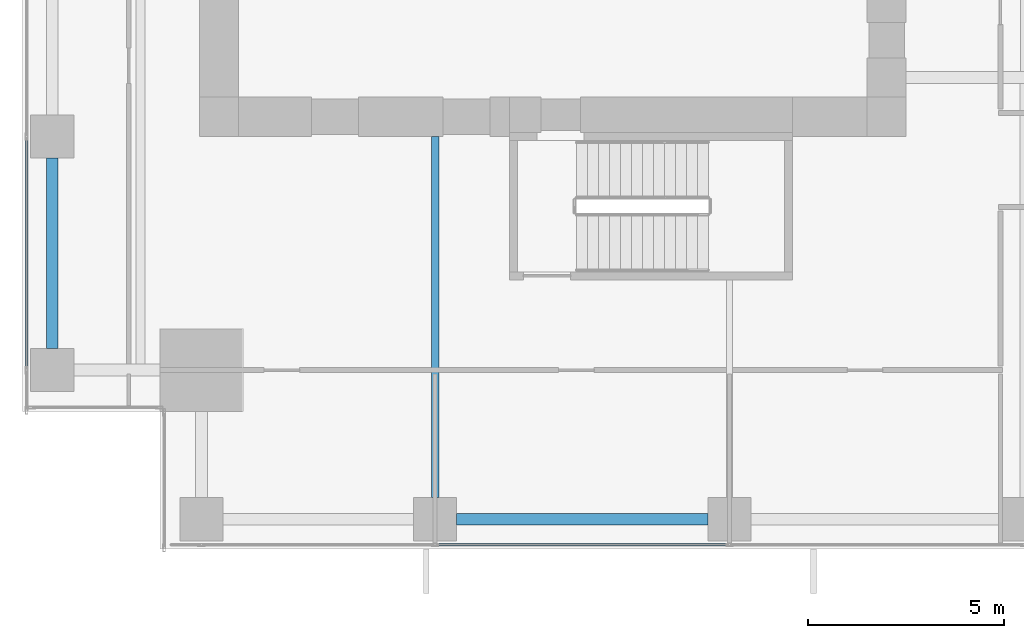
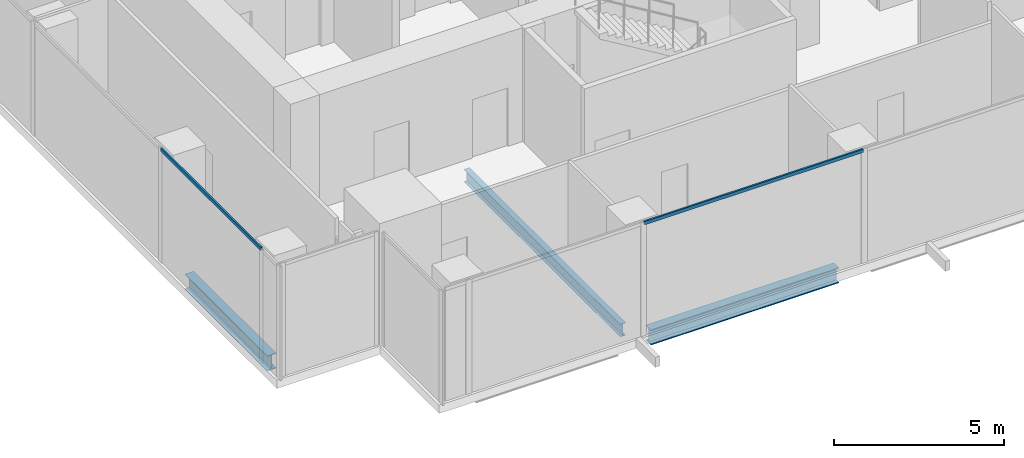
# One storey, part 3 of 34: 3 beams, 2 members, 2 elements without a shape of their own.
"""IFC4 building model written with IfcOpenShell, lengths in metres."""

import ifcopenshell
import ifcopenshell.guid

model = None  # the IFC model being written
_history = None  # IfcOwnerHistory: only IFC2X3 demands one
_inside = {}  # id of a spatial element -> (the spatial element, [elements in it])
_under = {}  # id of a project, library or spatial element -> (it, [spatial elements below it])
_declared = {}  # id of a project -> (the project, [libraries it declares])
_typed = {}  # id of a type object -> (the type object, [elements of that type])
_made_of = {}  # id of a material, layer set ... -> (it, [elements and type objects made of it])


def new_model(schema):
    """Start an empty IFC model of exactly this schema.

    Asked for "IFC4X3", IfcOpenShell would pick the latest addendum, in which some entities
    have other attributes; the version numbers below select the first issue.
    IFC2X3 requires an IfcOwnerHistory on every rooted entity: one is made here for all.
    """
    global model, _history
    if schema == "IFC4X3":
        model = ifcopenshell.file(schema_version=(4, 3, 0, 0))
    else:
        model = ifcopenshell.file(schema=schema)
    _inside.clear()
    _under.clear()
    _declared.clear()
    _typed.clear()
    _made_of.clear()
    _history = None
    if model.schema == "IFC2X3":
        org = make("IfcOrganization", Name="unknown")
        user = make(
            "IfcPersonAndOrganization",
            ThePerson=make("IfcPerson", FamilyName="unknown"),
            TheOrganization=org,
        )
        app = make(
            "IfcApplication",
            ApplicationDeveloper=org,
            Version="unknown",
            ApplicationFullName="unknown",
            ApplicationIdentifier="unknown",
        )
        _history = make(
            "IfcOwnerHistory",
            OwningUser=user,
            OwningApplication=app,
            ChangeAction="ADDED",
            CreationDate=0,
        )
    return model


def make(cls, **values):
    """One entity of the class cls with the attributes given. An attribute that is None is left unset."""
    return model.create_entity(
        cls, **{name: value for name, value in values.items() if value is not None}
    )


def rooted(cls, **values):
    """An entity with a GlobalId (a new one), such as an element, a storey or a relation."""
    return make(cls, GlobalId=ifcopenshell.guid.new(), OwnerHistory=_history, **values)


def si_unit(unit_type, name, prefix=None):
    """IfcSIUnit, for example si_unit("LENGTHUNIT", "METRE", prefix="MILLI")."""
    return make("IfcSIUnit", UnitType=unit_type, Prefix=prefix, Name=name)


def assignment(units):
    """IfcUnitAssignment: the units of a project."""
    return None if units is None else make("IfcUnitAssignment", Units=units)


def point(xyz):
    """IfcCartesianPoint."""
    return None if xyz is None else make("IfcCartesianPoint", Coordinates=xyz)


def direction(xyz):
    """IfcDirection."""
    return None if xyz is None else make("IfcDirection", DirectionRatios=xyz)


def frame(location, z_axis=None, x_axis=None):
    """IfcAxis2Placement3D, a coordinate frame: its origin and axes. An axis left out is left unset."""
    return make(
        "IfcAxis2Placement3D",
        Location=point(location),
        Axis=direction(z_axis),
        RefDirection=direction(x_axis),
    )


def frame_2d(location, x_axis=None):
    """IfcAxis2Placement2D, a coordinate frame in the plane: its origin and x axis."""
    return make(
        "IfcAxis2Placement2D", Location=point(location), RefDirection=direction(x_axis)
    )


def origin():
    """The frame at (0, 0, 0) with its axes left unset."""
    return frame((0.0, 0.0, 0.0))


def origin_2d():
    """The frame at (0, 0) in the plane with its x axis left unset."""
    return frame_2d((0.0, 0.0))


def place(relative_to, where):
    """IfcLocalPlacement: puts the frame where relative to a parent placement (None: the world)."""
    return make(
        "IfcLocalPlacement", PlacementRelTo=relative_to, RelativePlacement=where
    )


def context(
    kind, dimensions, precision=None, world=None, true_north=None, identifier=None
):
    """IfcGeometricRepresentationContext, for example the 3D "Model" context."""
    return make(
        "IfcGeometricRepresentationContext",
        ContextIdentifier=identifier,
        ContextType=kind,
        CoordinateSpaceDimension=dimensions,
        Precision=precision,
        WorldCoordinateSystem=world,
        TrueNorth=true_north,
    )


def subcontext(parent, identifier, kind, view, scale=None):
    """IfcGeometricRepresentationSubContext, for example "Body" below "Model"."""
    return make(
        "IfcGeometricRepresentationSubContext",
        ContextIdentifier=identifier,
        ContextType=kind,
        ParentContext=parent,
        TargetScale=scale,
        TargetView=view,
    )


def project(units=None, contexts=None):
    """IfcProject with its units and contexts."""
    return rooted(
        "IfcProject",
        Name="project",
        RepresentationContexts=contexts,
        UnitsInContext=assignment(units),
    )


def spatial(cls, under=None, at=None, **own):
    """A site, building, storey or space (cls), placed at a placement, below another one or the project."""
    s = rooted(cls, ObjectPlacement=at, **own)
    if under is not None:
        _under.setdefault(under.id(), (under, []))[1].append(s)
    return s


def profile(cls, at=None, kind="AREA", **sizes):
    """A parametric profile (cls). Its sizes go by their IFC names, for example OverallWidth=200.0."""
    return make(cls, ProfileType=kind, Position=at, **sizes)


def hollow_rectangle(**sizes):
    """IfcRectangleHollowProfileDef."""
    return profile("IfcRectangleHollowProfileDef", **sizes)


def i_section(**sizes):
    """IfcIShapeProfileDef."""
    return profile("IfcIShapeProfileDef", **sizes)


def extrude(swept, where, along, depth):
    """IfcExtrudedAreaSolid: the profile swept, set in the frame where, extruded along a direction by depth."""
    return make(
        "IfcExtrudedAreaSolid",
        SweptArea=swept,
        Position=where,
        ExtrudedDirection=direction(along),
        Depth=depth,
    )


def shape(context_of_items, identifier, shape_type, items):
    """IfcShapeRepresentation: the items that make up one representation, for example the "Body"."""
    return make(
        "IfcShapeRepresentation",
        ContextOfItems=context_of_items,
        RepresentationIdentifier=identifier,
        RepresentationType=shape_type,
        Items=items,
    )


def source(mapping_origin, context_of_items, identifier, shape_type, items):
    """IfcRepresentationMap: a shape defined once, which mapped items show again and again."""
    return make(
        "IfcRepresentationMap",
        MappingOrigin=mapping_origin,
        MappedRepresentation=shape(context_of_items, identifier, shape_type, items),
    )


def transform(
    local_origin,
    x_axis=None,
    y_axis=None,
    z_axis=None,
    scale=None,
    scale2=None,
    scale3=None,
    uniform=True,
):
    """IfcCartesianTransformationOperator3D, or its non-uniform kind. x_axis, y_axis, z_axis: its Axis1, 2, 3."""
    if uniform:
        return make(
            "IfcCartesianTransformationOperator3D",
            Axis1=direction(x_axis),
            Axis2=direction(y_axis),
            LocalOrigin=point(local_origin),
            Scale=scale,
            Axis3=direction(z_axis),
        )
    return make(
        "IfcCartesianTransformationOperator3DnonUniform",
        Axis1=direction(x_axis),
        Axis2=direction(y_axis),
        LocalOrigin=point(local_origin),
        Scale=scale,
        Axis3=direction(z_axis),
        Scale2=scale2,
        Scale3=scale3,
    )


def mapped(mapping_source, mapping_target):
    """IfcMappedItem: shows the shape of a source again, moved by a transform."""
    return make(
        "IfcMappedItem", MappingSource=mapping_source, MappingTarget=mapping_target
    )


def material(Name=None, Category=None):
    """IfcMaterial."""
    return make("IfcMaterial", Name=Name, Category=Category)


def material_profile(
    of_material, cross_section, Name=None, Category=None, Priority=None
):
    """IfcMaterialProfile: a cross section and its material."""
    return make(
        "IfcMaterialProfile",
        Name=Name,
        Material=of_material,
        Profile=cross_section,
        Priority=Priority,
        Category=Category,
    )


def profile_set(profiles, Name=None, composite=None):
    """IfcMaterialProfileSet."""
    return make(
        "IfcMaterialProfileSet",
        Name=Name,
        MaterialProfiles=profiles,
        CompositeProfile=composite,
    )


def made_of(thing, what):
    """Note that an element or type object is made of a material, layer set ...; save() writes the relation."""
    if what is not None:
        _made_of.setdefault(what.id(), (what, []))[1].append(thing)
    return thing


def type_object(cls, material=None, **own):
    """A type object (cls), such as IfcWallType, which elements share."""
    return made_of(rooted(cls, **own), material)


def element(
    cls,
    number,
    at=None,
    inside=None,
    cuts=None,
    type_object=None,
    material=None,
    context=None,
    identifier="Body",
    shape_type=None,
    held_by="IfcProductDefinitionShape",
    body=None,
    shapes=None,
    **own,
):
    """One element of the class cls, such as IfcWall. Its Tag is "e" and its number.

    at: its placement. inside: the storey or other place that contains it. cuts: it is an
    opening in that element (IfcRelVoidsElement). A single representation is given by context,
    identifier, shape_type and body (its items); several are given by shapes. held_by: the class
    of the entity that holds the representations. save() writes the other relations.
    """
    e = rooted(cls, Tag="e%d" % number, ObjectPlacement=at, **own)
    if body is not None:
        shapes = [shape(context, identifier, shape_type, body)]
    if shapes is not None:
        e.Representation = make(held_by, Representations=shapes)
    if inside is not None:
        _inside.setdefault(inside.id(), (inside, []))[1].append(e)
    if cuts is not None:
        rooted(
            "IfcRelVoidsElement", RelatingBuildingElement=cuts, RelatedOpeningElement=e
        )
    if type_object is not None:
        _typed.setdefault(type_object.id(), (type_object, []))[1].append(e)
    return made_of(e, material)


def aggregate(whole, parts):
    """IfcRelAggregates: a whole, such as a stair, and the parts it consists of."""
    return rooted("IfcRelAggregates", RelatingObject=whole, RelatedObjects=parts)


def save(model, path):
    """Write the relations noted so far, then the file.

    IfcRelAggregates (storeys below a building ...), IfcRelContainedInSpatialStructure (elements
    in a storey), IfcRelDefinesByType, IfcRelAssociatesMaterial and IfcRelDeclares: one each for
    every whole, place, type object, material and project.
    """
    for whole, parts in _under.values():
        aggregate(whole, parts)
    for where, things in _inside.values():
        rooted(
            "IfcRelContainedInSpatialStructure",
            RelatedElements=things,
            RelatingStructure=where,
        )
    for kind, things in _typed.values():
        rooted("IfcRelDefinesByType", RelatedObjects=things, RelatingType=kind)
    for what, things in _made_of.values():
        rooted("IfcRelAssociatesMaterial", RelatedObjects=things, RelatingMaterial=what)
    for by, libraries in _declared.values():
        rooted("IfcRelDeclares", RelatingContext=by, RelatedDefinitions=libraries)
    model.write(path)


model = new_model("IFC4")

# Units and contexts
model_context = context("Model", 3, precision=1e-05, world=origin(), true_north=direction((0.0, 1.0)))
body_context = subcontext(model_context, "Body", "Model", "MODEL_VIEW")
ifc_project = project(units=[si_unit("LENGTHUNIT", "METRE"), si_unit("AREAUNIT", "SQUARE_METRE"), si_unit("VOLUMEUNIT", "CUBIC_METRE"), si_unit("PLANEANGLEUNIT", "RADIAN"), si_unit("MASSUNIT", "GRAM", prefix="KILO")], contexts=[model_context])

# Site, building, storey
site_placement = place(None, origin())
site = spatial("IfcSite", under=ifc_project, at=site_placement, CompositionType="ELEMENT")
building_placement = place(site_placement, origin())
building = spatial("IfcBuilding", under=site, at=building_placement, Name="Khomas Fold Tower", CompositionType="ELEMENT")
storey_placement = place(building_placement, frame((0.0, 0.0, 105.89990234375)))
storey = spatial("IfcBuildingStorey", under=building, at=storey_placement, Name="L22", CompositionType="ELEMENT", Elevation=105.89990234375)

# Beams
ifc_material_1 = material(Name="Steel S355", Category="steel")
ifc_material_profile_1 = material_profile(ifc_material_1, i_section(OverallWidth=0.300048828125, OverallDepth=0.550048828125, WebThickness=0.014892578125, FlangeThickness=0.029052734375, at=origin_2d()), Name="HE 550 B")
ifc_profile_set_1 = profile_set([ifc_material_profile_1], Name="Steel S355")
beam_type_1 = type_object("IfcBeamType", Name="HE 550 B spandrel SB2", PredefinedType="SPANDREL", material=ifc_profile_set_1)
shared_shape_1 = source(origin(), body_context, "Body", "SweptSolid", [
    extrude(i_section(OverallWidth=0.300048828125, OverallDepth=0.550048828125, WebThickness=0.014892578125, FlangeThickness=0.029052734375, at=origin_2d()), origin(), (0.0, 0.0, 1.0), 4.849853515625),
])
beam_1_placement = place(storey_placement, frame((2.25, 6.60009765625, -0.574951171875), z_axis=(0.0, 1.0, 0.0), x_axis=(-1.0, 0.0, 0.0)))
element("IfcBeam", 1, at=beam_1_placement, inside=storey, type_object=beam_type_1, Name="SB2", PredefinedType="SPANDREL", context=body_context, shape_type="MappedRepresentation", body=[
    mapped(shared_shape_1, transform((0.0, 0.0, 0.0))),
])
shared_shape_2 = source(origin(), body_context, "Body", "SweptSolid", [
    extrude(i_section(OverallWidth=0.300048828125, OverallDepth=0.550048828125, WebThickness=0.014892578125, FlangeThickness=0.029052734375, at=origin_2d()), origin(), (0.0, 0.0, 1.0), 6.39990234375),
])
beam_2_placement = place(storey_placement, frame((12.550048828125, 2.25, -0.574951171875), z_axis=(1.0, 0.0, 0.0), x_axis=(0.0, 1.0, 0.0)))
element("IfcBeam", 2, at=beam_2_placement, inside=storey, type_object=beam_type_1, Name="SB2", PredefinedType="SPANDREL", context=body_context, shape_type="MappedRepresentation", body=[
    mapped(shared_shape_2, transform((0.0, 0.0, 0.0))),
])
ifc_material_2 = material(Name="Steel S355", Category="steel")
ifc_material_profile_2 = material_profile(ifc_material_2, i_section(OverallWidth=0.18994140625, OverallDepth=0.449951171875, WebThickness=0.009521484375, FlangeThickness=0.0146484375, at=origin_2d()), Name="IPE 450")
ifc_profile_set_2 = profile_set([ifc_material_profile_2], Name="Steel S355")
beam_type_2 = type_object("IfcBeamType", Name="IPE 450 beam JB4", PredefinedType="BEAM", material=ifc_profile_set_2)
shared_shape_3 = source(origin(), body_context, "Body", "SweptSolid", [
    extrude(i_section(OverallWidth=0.18994140625, OverallDepth=0.449951171875, WebThickness=0.009521484375, FlangeThickness=0.0146484375, at=origin_2d()), origin(), (0.0, 0.0, 1.0), 9.199951171875),
])
beam_3_placement = place(storey_placement, frame((12.0, 2.800048828125, -0.52490234375), z_axis=(0.0, 1.0, 0.0), x_axis=(-1.0, 0.0, 0.0)))
element("IfcBeam", 3, at=beam_3_placement, inside=storey, type_object=beam_type_2, Name="JB4", PredefinedType="BEAM", context=body_context, shape_type="MappedRepresentation", body=[
    mapped(shared_shape_3, transform((0.0, 0.0, 0.0))),
])

# Curtain wall, member
ifc_material_3 = material(Name="Aluminium framed double glazing", Category="aluminium")
curtain_wall_type = type_object("IfcCurtainWallType", Name="SK-Unitised clear-glass wall, growing floors CW1", PredefinedType="NOTDEFINED", material=ifc_material_3)
curtain_wall_1_placement = place(storey_placement, origin())
curtain_wall_1 = element("IfcCurtainWall", 4, at=curtain_wall_1_placement, inside=storey, type_object=curtain_wall_type, Name="CW1 run L22 00-0", PredefinedType="NOTDEFINED")
ifc_material_4 = material(Name="Aluminium", Category="aluminium")
ifc_material_profile_3 = material_profile(ifc_material_4, hollow_rectangle(XDim=0.06005859375, YDim=0.1201171875, WallThickness=0.00390625, at=origin_2d()), Name="SK-Unitised clear-glass wall, growing floors transom CW1-T")
ifc_profile_set_3 = profile_set([ifc_material_profile_3], Name="Aluminium")
member_type = type_object("IfcMemberType", Name="SK-Unitised clear-glass wall, growing floors transom CW1-T", PredefinedType="USERDEFINED", material=ifc_profile_set_3)
shared_shape_4 = source(origin(), body_context, "Body", "SweptSolid", [
    extrude(hollow_rectangle(XDim=0.06005859375, YDim=0.1201171875, WallThickness=0.00390625, at=origin_2d()), origin(), (0.0, 0.0, 1.0), 7.43994140625),
])
member_1_placement = place(storey_placement, frame((12.030029296875, 1.60009765625, 4.0400390625), z_axis=(1.0, 0.0, 0.0), x_axis=(0.0, 1.0, 0.0)))
member_1 = element("IfcMember", 5, at=member_1_placement, type_object=member_type, Name="CW1 transom 3", ObjectType="TRANSOM", PredefinedType="USERDEFINED", context=body_context, shape_type="MappedRepresentation", body=[
    mapped(shared_shape_4, transform((0.0, 0.0, 0.0))),
])
aggregate(curtain_wall_1, [member_1])

curtain_wall_2_placement = place(storey_placement, origin())
curtain_wall_2 = element("IfcCurtainWall", 6, at=curtain_wall_2_placement, inside=storey, type_object=curtain_wall_type, Name="CW1 run L22 09-0", PredefinedType="NOTDEFINED")
shared_shape_5 = source(origin(), body_context, "Body", "SweptSolid", [
    extrude(hollow_rectangle(XDim=0.06005859375, YDim=0.1201171875, WallThickness=0.00390625, at=origin_2d()), origin(), (0.0, 0.0, 1.0), 5.889892578125),
])
member_2_placement = place(storey_placement, frame((1.60009765625, 11.969970703125, 4.0400390625), z_axis=(0.0, -1.0, 0.0), x_axis=(1.0, 0.0, 0.0)))
member_2 = element("IfcMember", 7, at=member_2_placement, type_object=member_type, Name="CW1 transom 7", ObjectType="TRANSOM", PredefinedType="USERDEFINED", context=body_context, shape_type="MappedRepresentation", body=[
    mapped(shared_shape_5, transform((0.0, 0.0, 0.0))),
])
aggregate(curtain_wall_2, [member_2])

save(model, "model.ifc")
